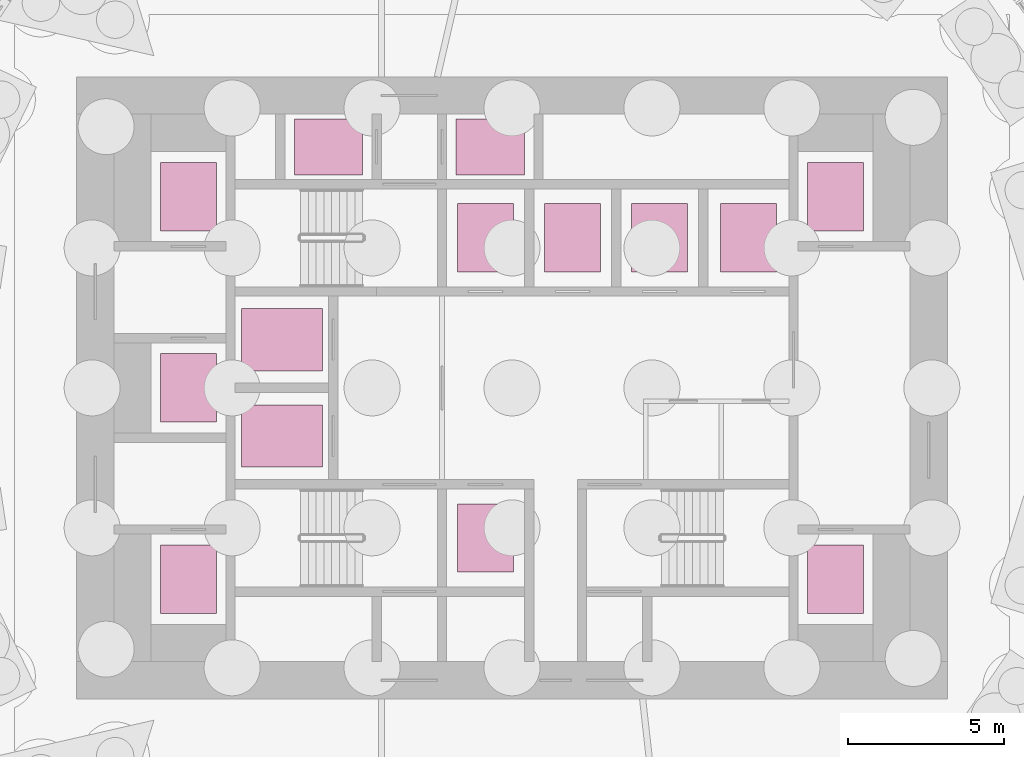
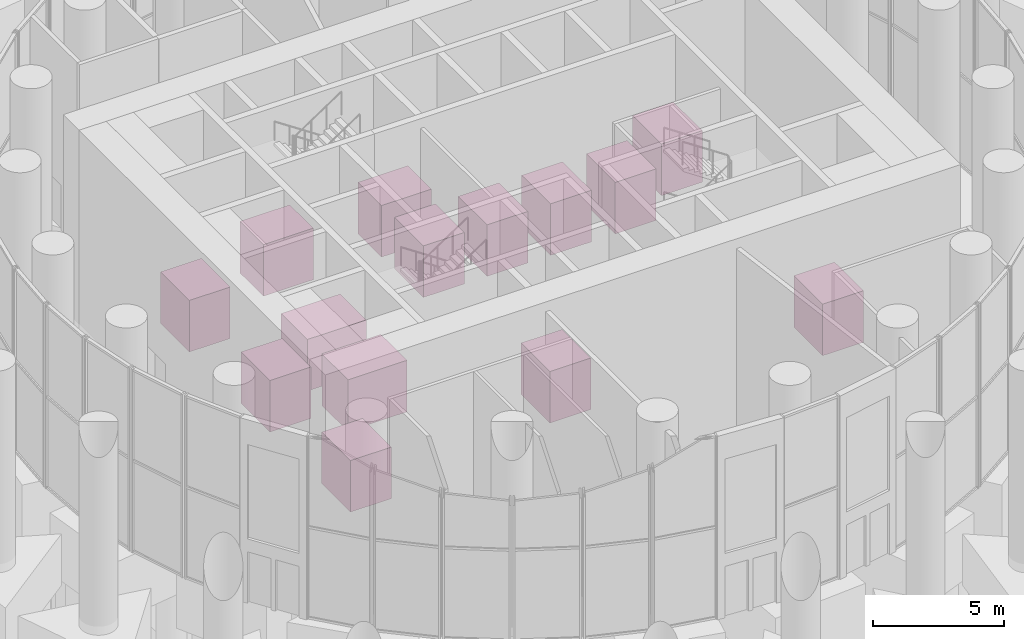
# One storey, part 20 of 20: 14 transport elements.
"""IFC4 building model written with IfcOpenShell, lengths in metres."""

from ifc_helpers import new_model, si_unit, direction, frame, origin, origin_2d, place, context, subcontext, project, spatial, rectangle, extrude, material, type_object, element, save


model = new_model("IFC4")

# Units and contexts
model_context = context("Model", 3, precision=1e-05, world=origin(), true_north=direction((0.0, 1.0)))
body_context = subcontext(model_context, "Body", "Model", "MODEL_VIEW")
ifc_project = project(units=[si_unit("LENGTHUNIT", "METRE"), si_unit("AREAUNIT", "SQUARE_METRE"), si_unit("VOLUMEUNIT", "CUBIC_METRE"), si_unit("PLANEANGLEUNIT", "RADIAN"), si_unit("MASSUNIT", "GRAM", prefix="KILO")], contexts=[model_context])

# Site, building, storey
site_placement = place(None, origin())
site = spatial("IfcSite", under=ifc_project, at=site_placement, CompositionType="ELEMENT")
building_placement = place(site_placement, origin())
building = spatial("IfcBuilding", under=site, at=building_placement, Name="Tracery Tower", CompositionType="ELEMENT")
storey_placement = place(building_placement, origin())
storey = spatial("IfcBuildingStorey", under=building, at=storey_placement, Name="L00", CompositionType="ELEMENT", Elevation=0.0)

# Transport elements
ifc_material_1 = material(Name="Fire-fighting lift 3000")
transport_element_type_1 = type_object("IfcTransportElementType", Name="Fire-fighting lift 3000", PredefinedType="ELEVATOR", material=ifc_material_1)
for number, where, z_axis, x_axis, name in (
    (1, (-7.39990234375, -1.550048828125, 0.0), (0.0, 0.0, 1.0), (1.0, 0.0, 0.0), "Lift car FF1"),
    (2, (-7.39990234375, 1.550048828125, 0.0), (0.0, 0.0, 1.0), (1.0, 0.0, 0.0), "Lift car FF2"),
):
    element("IfcTransportElement", number, at=place(storey_placement, frame(where, z_axis=z_axis, x_axis=x_axis)), inside=storey, type_object=transport_element_type_1, Name=name, PredefinedType="ELEVATOR", context=body_context, shape_type="SweptSolid", body=[
        extrude(rectangle(XDim=2.60009765625, YDim=2.0, at=origin_2d()), origin(), (0.0, 0.0, 1.0), 2.39990234375),
    ])
ifc_material_2 = material(Name="Observation lift 2000")
transport_element_type_2 = type_object("IfcTransportElementType", Name="Observation lift 2000", PredefinedType="ELEVATOR", material=ifc_material_2)
for number, where, z_axis, x_axis, name in (
    (3, (7.60009765625, 4.824951171875, 0.0), (0.0, 0.0, 1.0), (1.0, 0.0, 0.0), "Lift car OB1"),
    (4, (-0.85009765625, -4.824951171875, 0.0), (0.0, 0.0, 1.0), (1.0, 0.0, 0.0), "Lift car OB2"),
):
    element("IfcTransportElement", number, at=place(storey_placement, frame(where, z_axis=z_axis, x_axis=x_axis)), inside=storey, type_object=transport_element_type_2, Name=name, PredefinedType="ELEVATOR", context=body_context, shape_type="SweptSolid", body=[
        extrude(rectangle(XDim=1.800048828125, YDim=2.199951171875, at=origin_2d()), origin(), (0.0, 0.0, 1.0), 2.39990234375),
    ])
ifc_material_3 = material(Name="Passenger lift 2000")
transport_element_type_3 = type_object("IfcTransportElementType", Name="Passenger lift 2000", PredefinedType="ELEVATOR", material=ifc_material_3)
for number, where, z_axis, x_axis, name in (
    (5, (-0.85009765625, 4.824951171875, 0.0), (0.0, 0.0, 1.0), (1.0, 0.0, 0.0), "Lift car HR1"),
    (6, (1.949951171875, 4.824951171875, 0.0), (0.0, 0.0, 1.0), (1.0, 0.0, 0.0), "Lift car HR2"),
    (7, (4.75, 4.824951171875, 0.0), (0.0, 0.0, 1.0), (1.0, 0.0, 0.0), "Lift car HR3"),
    (8, (-10.39990234375, -6.14990234375, 0.0), (0.0, 0.0, 1.0), (1.0, 0.0, 0.0), "Lift car MR1"),
    (9, (-10.39990234375, 6.14990234375, 0.0), (0.0, 0.0, 1.0), (1.0, 0.0, 0.0), "Lift car MR2"),
    (10, (10.39990234375, -6.14990234375, 0.0), (0.0, 0.0, 1.0), (1.0, 0.0, 0.0), "Lift car MR3"),
    (11, (10.39990234375, 6.14990234375, 0.0), (0.0, 0.0, 1.0), (1.0, 0.0, 0.0), "Lift car MR4"),
    (12, (-10.39990234375, 0.0, 0.0), (0.0, 0.0, 1.0), (1.0, 0.0, 0.0), "Lift car LR1"),
):
    element("IfcTransportElement", number, at=place(storey_placement, frame(where, z_axis=z_axis, x_axis=x_axis)), inside=storey, type_object=transport_element_type_3, Name=name, PredefinedType="ELEVATOR", context=body_context, shape_type="SweptSolid", body=[
        extrude(rectangle(XDim=1.800048828125, YDim=2.199951171875, at=origin_2d()), origin(), (0.0, 0.0, 1.0), 2.39990234375),
    ])
for number, where, z_axis, x_axis, name in (
    (13, (-0.699951171875, 7.75, 0.0), (0.0, 0.0, 1.0), (1.0, 0.0, 0.0), "Lift car LR2"),
    (14, (-5.89990234375, 7.75, 0.0), (0.0, 0.0, 1.0), (1.0, 0.0, 0.0), "Lift car LR3"),
):
    element("IfcTransportElement", number, at=place(storey_placement, frame(where, z_axis=z_axis, x_axis=x_axis)), inside=storey, type_object=transport_element_type_3, Name=name, PredefinedType="ELEVATOR", context=body_context, shape_type="SweptSolid", body=[
        extrude(rectangle(XDim=2.199951171875, YDim=1.800048828125, at=origin_2d()), origin(), (0.0, 0.0, 1.0), 2.39990234375),
    ])

save(model, "model.ifc")
